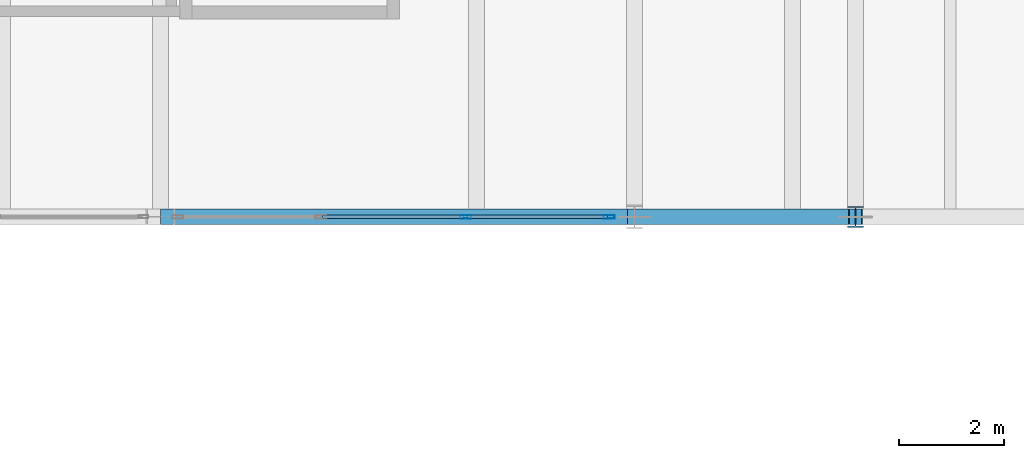
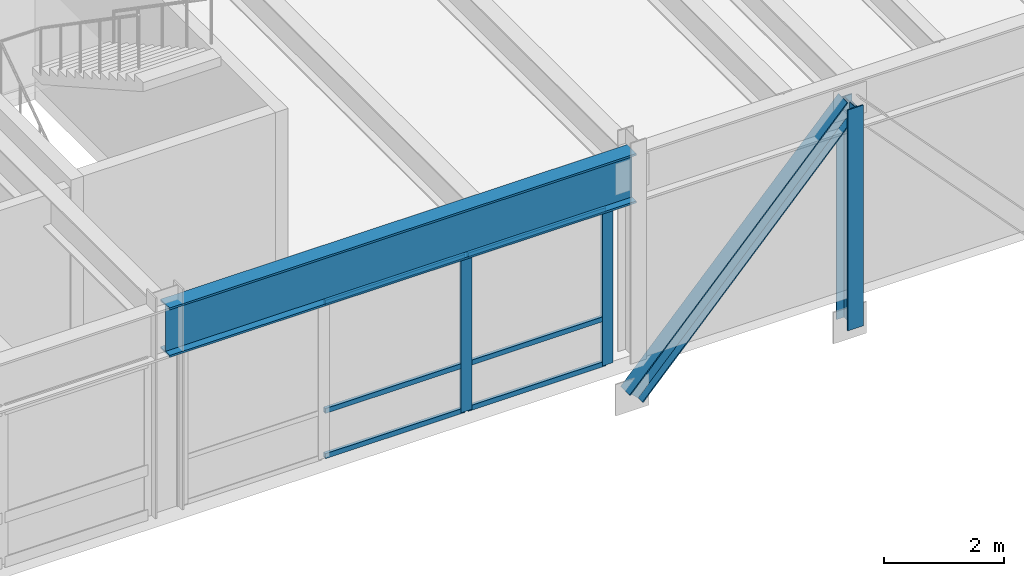
# One storey, part 91 of 142: 10 members, 1 beam, 1 element without a shape of its own.
"""IFC4 building model written with IfcOpenShell, lengths in metres."""

from ifc_helpers import new_model, si_unit, direction, frame, origin, origin_2d, place, context, subcontext, project, spatial, hollow_rectangle, i_section, extrude, material, layer, layer_set, material_profile, profile_set, type_object, element, aggregate, save


model = new_model("IFC4")

# Units and contexts
model_context = context("Model", 3, precision=1e-05, world=origin(), true_north=direction((0.0, 1.0)))
body_context = subcontext(model_context, "Body", "Model", "MODEL_VIEW")
ifc_project = project(units=[si_unit("LENGTHUNIT", "METRE"), si_unit("AREAUNIT", "SQUARE_METRE"), si_unit("VOLUMEUNIT", "CUBIC_METRE"), si_unit("PLANEANGLEUNIT", "RADIAN"), si_unit("MASSUNIT", "GRAM", prefix="KILO")], contexts=[model_context])

# Site, building, storey
site_placement = place(None, origin())
site = spatial("IfcSite", under=ifc_project, at=site_placement, CompositionType="ELEMENT")
building_placement = place(site_placement, origin())
building = spatial("IfcBuilding", under=site, at=building_placement, Name="Montelvaro Courts of Justice", CompositionType="ELEMENT")
storey_placement = place(building_placement, frame((0.0, 0.0, 14.39990234375)))
storey = spatial("IfcBuildingStorey", under=building, at=storey_placement, Name="L03", CompositionType="ELEMENT", Elevation=14.39990234375)

# Beam
ifc_material_1 = material(Name="Steel S355", Category="steel")
ifc_material_profile_1 = material_profile(ifc_material_1, i_section(OverallWidth=0.302001953125, OverallDepth=1.008056640625, WebThickness=0.02099609375, FlangeThickness=0.0400390625, at=origin_2d()), Name="HEM 1000")
ifc_profile_set_1 = profile_set([ifc_material_profile_1], Name="Steel S355")
beam_type = type_object("IfcBeamType", Name="Beam_HEM1000", PredefinedType="USERDEFINED", material=ifc_profile_set_1)
beam_placement = place(storey_placement, frame((153.0, 78.0, 3.696044921875), z_axis=(1.0, 0.0, 0.0), x_axis=(0.0, 1.0, 0.0)))
element("IfcBeam", 1, at=beam_placement, inside=storey, type_object=beam_type, Name="Pratt Cantilever Truss Chord CTR-V2-S-L04-BS3", ObjectType="GIRDER", PredefinedType="USERDEFINED", context=body_context, shape_type="SweptSolid", body=[
    extrude(i_section(OverallWidth=0.302001953125, OverallDepth=1.008056640625, WebThickness=0.02099609375, FlangeThickness=0.0400390625, at=origin_2d()), origin(), (0.0, 0.0, 1.0), 9.0),
])

# Curtain wall, members
ifc_material_2 = material(Name="Anodised aluminium EN AW-6063", Category="aluminium")
ifc_layer = layer(ifc_material_2, 0.159912109375)
ifc_layer_set = layer_set([ifc_layer], Name="Anodised aluminium EN AW-6063")
curtain_wall_type = type_object("IfcCurtainWallType", Name="CurtainWall_26_824x418", PredefinedType="USERDEFINED", material=ifc_layer_set)
curtain_wall_placement = place(storey_placement, origin())
curtain_wall = element("IfcCurtainWall", 2, at=curtain_wall_placement, inside=storey, type_object=curtain_wall_type, Name="Curtain Wall CW-26 (L03)", ObjectType="CURTAIN WALL", PredefinedType="USERDEFINED")
ifc_material_profile_2 = material_profile(ifc_material_2, hollow_rectangle(XDim=0.06494140625, YDim=0.2099609375, WallThickness=0.0048828125, at=origin_2d()), Name="ALU-M 65x210")
ifc_profile_set_2 = profile_set([ifc_material_profile_2], Name="Anodised aluminium EN AW-6063")
member_type_1 = type_object("IfcMemberType", Name="CurtainWall_Mullion_65x210", PredefinedType="MULLION", material=ifc_profile_set_2)
member_1_placement = place(storey_placement, frame((158.796630859375, 78.0, 0.0), z_axis=(0.0, 0.0, 1.0), x_axis=(0.0, 1.0, 0.0)))
member_1 = element("IfcMember", 3, at=member_1_placement, type_object=member_type_1, Name="CW-26 mullion 3", PredefinedType="MULLION", context=body_context, shape_type="SweptSolid", body=[
    extrude(hollow_rectangle(XDim=0.06494140625, YDim=0.2099609375, WallThickness=0.0048828125, at=origin_2d()), origin(), (0.0, 0.0, 1.0), 3.18701171875),
])
member_2_placement = place(storey_placement, frame((161.517578125, 78.0, 0.0), z_axis=(0.0, 0.0, 1.0), x_axis=(0.0, 1.0, 0.0)))
member_2 = element("IfcMember", 4, at=member_2_placement, type_object=member_type_1, Name="CW-26 mullion 4", PredefinedType="MULLION", context=body_context, shape_type="SweptSolid", body=[
    extrude(hollow_rectangle(XDim=0.06494140625, YDim=0.2099609375, WallThickness=0.0048828125, at=origin_2d()), origin(), (0.0, 0.0, 1.0), 3.18701171875),
])
ifc_material_profile_3 = material_profile(ifc_material_2, hollow_rectangle(XDim=0.06005859375, YDim=0.10009765625, WallThickness=0.00341796875, at=origin_2d()), Name="ALU-T 60x100")
ifc_profile_set_3 = profile_set([ifc_material_profile_3], Name="Anodised aluminium EN AW-6063")
member_type_2 = type_object("IfcMemberType", Name="CurtainWall_Transom_60x100", PredefinedType="USERDEFINED", material=ifc_profile_set_3)
member_3_placement = place(storey_placement, frame((156.075927734375, 78.0, 0.030029296875), z_axis=(1.0, 0.0, 0.0), x_axis=(0.0, 1.0, 0.0)))
member_3 = element("IfcMember", 5, at=member_3_placement, type_object=member_type_2, Name="CW-26 transom 2.1", ObjectType="TRANSOM", PredefinedType="USERDEFINED", context=body_context, shape_type="SweptSolid", body=[
    extrude(hollow_rectangle(XDim=0.06005859375, YDim=0.10009765625, WallThickness=0.00341796875, at=origin_2d()), origin(), (0.0, 0.0, 1.0), 2.688232421875),
])
member_4_placement = place(storey_placement, frame((156.075927734375, 78.0, 0.9501953125), z_axis=(1.0, 0.0, 0.0), x_axis=(0.0, 1.0, 0.0)))
member_4 = element("IfcMember", 6, at=member_4_placement, type_object=member_type_2, Name="CW-26 transom 2.2", ObjectType="TRANSOM", PredefinedType="USERDEFINED", context=body_context, shape_type="SweptSolid", body=[
    extrude(hollow_rectangle(XDim=0.06005859375, YDim=0.10009765625, WallThickness=0.00341796875, at=origin_2d()), origin(), (0.0, 0.0, 1.0), 2.688232421875),
])
member_5_placement = place(storey_placement, frame((156.075927734375, 78.0, 3.156982421875), z_axis=(1.0, 0.0, 0.0), x_axis=(0.0, 1.0, 0.0)))
member_5 = element("IfcMember", 7, at=member_5_placement, type_object=member_type_2, Name="CW-26 transom 2.3", ObjectType="TRANSOM", PredefinedType="USERDEFINED", context=body_context, shape_type="SweptSolid", body=[
    extrude(hollow_rectangle(XDim=0.06005859375, YDim=0.10009765625, WallThickness=0.00341796875, at=origin_2d()), origin(), (0.0, 0.0, 1.0), 2.688232421875),
])
member_6_placement = place(storey_placement, frame((158.8291015625, 78.0, 0.030029296875), z_axis=(1.0, 0.0, 0.0), x_axis=(0.0, 1.0, 0.0)))
member_6 = element("IfcMember", 8, at=member_6_placement, type_object=member_type_2, Name="CW-26 transom 3.1", ObjectType="TRANSOM", PredefinedType="USERDEFINED", context=body_context, shape_type="SweptSolid", body=[
    extrude(hollow_rectangle(XDim=0.06005859375, YDim=0.10009765625, WallThickness=0.00341796875, at=origin_2d()), origin(), (0.0, 0.0, 1.0), 2.656005859375),
])
member_7_placement = place(storey_placement, frame((158.8291015625, 78.0, 0.9501953125), z_axis=(1.0, 0.0, 0.0), x_axis=(0.0, 1.0, 0.0)))
member_7 = element("IfcMember", 9, at=member_7_placement, type_object=member_type_2, Name="CW-26 transom 3.2", ObjectType="TRANSOM", PredefinedType="USERDEFINED", context=body_context, shape_type="SweptSolid", body=[
    extrude(hollow_rectangle(XDim=0.06005859375, YDim=0.10009765625, WallThickness=0.00341796875, at=origin_2d()), origin(), (0.0, 0.0, 1.0), 2.656005859375),
])
member_8_placement = place(storey_placement, frame((158.8291015625, 78.0, 3.156982421875), z_axis=(1.0, 0.0, 0.0), x_axis=(0.0, 1.0, 0.0)))
member_8 = element("IfcMember", 10, at=member_8_placement, type_object=member_type_2, Name="CW-26 transom 3.3", ObjectType="TRANSOM", PredefinedType="USERDEFINED", context=body_context, shape_type="SweptSolid", body=[
    extrude(hollow_rectangle(XDim=0.06005859375, YDim=0.10009765625, WallThickness=0.00341796875, at=origin_2d()), origin(), (0.0, 0.0, 1.0), 2.656005859375),
])
aggregate(curtain_wall, [member_1, member_2, member_3, member_4, member_5, member_6, member_7, member_8])

# Members
ifc_material_profile_4 = material_profile(ifc_material_1, i_section(OverallWidth=0.300048828125, OverallDepth=0.360107421875, WebThickness=0.012451171875, FlangeThickness=0.0224609375, at=origin_2d()), Name="HEB 360")
ifc_profile_set_4 = profile_set([ifc_material_profile_4], Name="Steel S355")
member_type_3 = type_object("IfcMemberType", Name="Mem_HEB360_Brace", PredefinedType="BRACE", material=ifc_profile_set_4)
member_9_placement = place(storey_placement, frame((162.0, 78.0, -0.803955078125), z_axis=(0.682314010889, 0.0, 0.73105922506), x_axis=(0.0, 1.0, 0.0)))
element("IfcMember", 11, at=member_9_placement, inside=storey, type_object=member_type_3, Name="Pratt Cantilever Truss Diagonal MB-01 CTR-V2-S-L03-D4", PredefinedType="BRACE", context=body_context, shape_type="SweptSolid", body=[
    extrude(i_section(OverallWidth=0.300048828125, OverallDepth=0.360107421875, WebThickness=0.012451171875, FlangeThickness=0.0224609375, at=origin_2d()), origin(), (0.0, 0.0, 1.0), 6.155517578125),
])
ifc_material_profile_5 = material_profile(ifc_material_1, i_section(OverallWidth=0.300048828125, OverallDepth=0.39990234375, WebThickness=0.013427734375, FlangeThickness=0.02392578125, at=origin_2d()), Name="HEB 400")
ifc_profile_set_5 = profile_set([ifc_material_profile_5], Name="Steel S355")
member_type_4 = type_object("IfcMemberType", Name="Mem_HEB400_Post", PredefinedType="POST", material=ifc_profile_set_5)
member_10_placement = place(storey_placement, frame((166.199951171875, 78.0, -0.803955078125), z_axis=(0.0, 0.0, 1.0), x_axis=(1.0, 0.0, 0.0)))
element("IfcMember", 12, at=member_10_placement, inside=storey, type_object=member_type_4, Name="Pratt Cantilever Truss Post MP-01 CTR-V2-S-L03-1", PredefinedType="POST", context=body_context, shape_type="SweptSolid", body=[
    extrude(i_section(OverallWidth=0.300048828125, OverallDepth=0.39990234375, WebThickness=0.013427734375, FlangeThickness=0.02392578125, at=origin_2d()), origin(), (0.0, 0.0, 1.0), 4.5),
])

save(model, "model.ifc")
